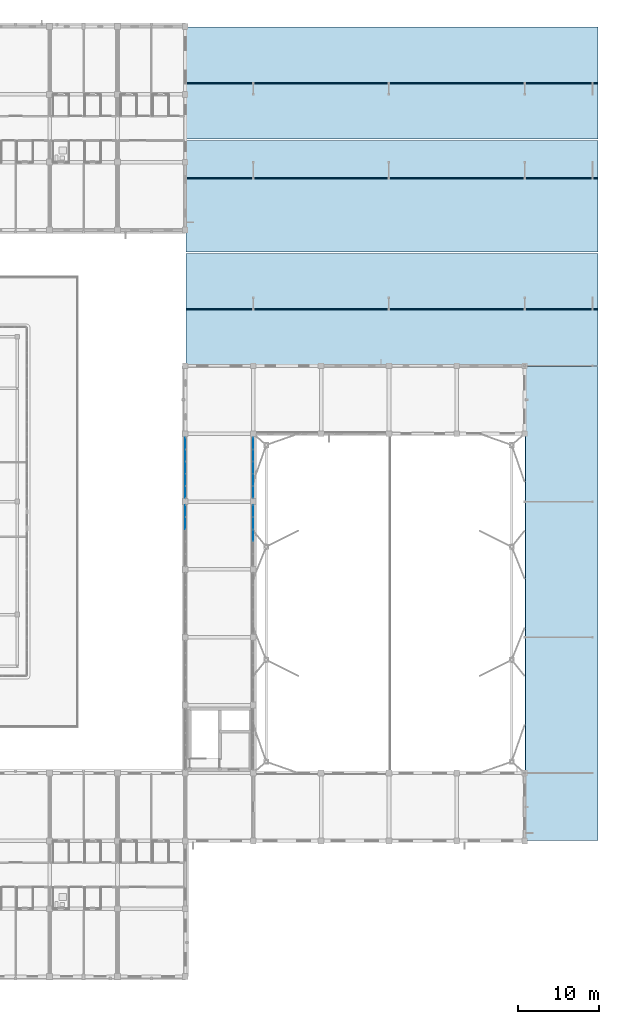
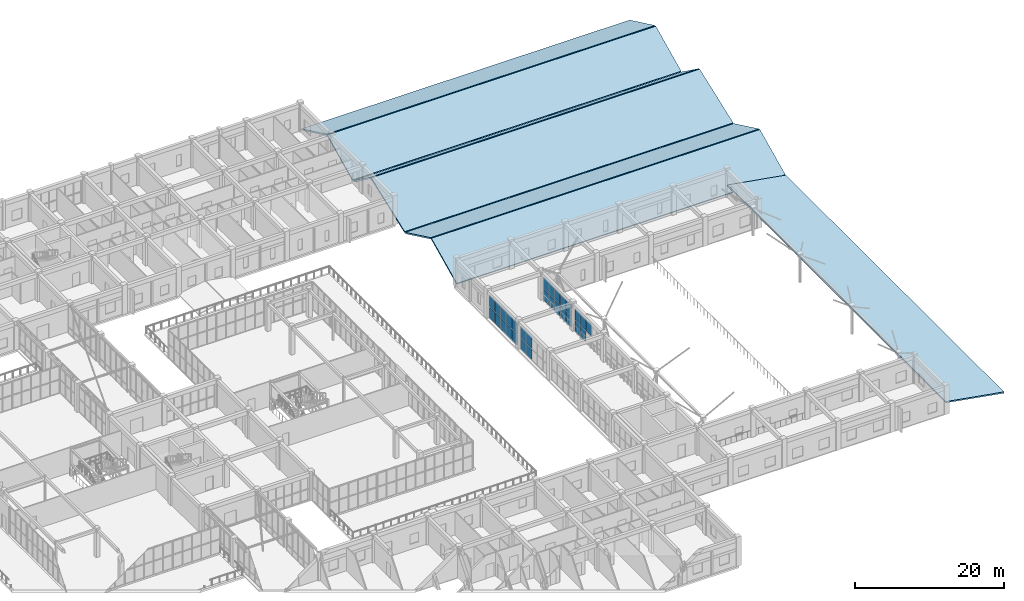
# One storey, part 112 of 158: 29 plates, 7 slabs, 4 elements without a shape of their own.
"""IFC4 building model written with IfcOpenShell, lengths in metres."""

from ifc_helpers import new_model, si_unit, direction, frame, origin, origin_2d, place, context, subcontext, project, spatial, polyline, rectangle, outline, extrude, material, layer, layer_set, type_object, element, aggregate, save


model = new_model("IFC4")

# Units and contexts
model_context = context("Model", 3, precision=1e-05, world=origin(), true_north=direction((0.0, 1.0)))
body_context = subcontext(model_context, "Body", "Model", "MODEL_VIEW")
ifc_project = project(units=[si_unit("LENGTHUNIT", "METRE"), si_unit("AREAUNIT", "SQUARE_METRE"), si_unit("VOLUMEUNIT", "CUBIC_METRE"), si_unit("PLANEANGLEUNIT", "RADIAN"), si_unit("MASSUNIT", "GRAM", prefix="KILO")], contexts=[model_context])

# Site, building, storey
site_placement = place(None, origin())
site = spatial("IfcSite", under=ifc_project, at=site_placement, CompositionType="ELEMENT")
building_placement = place(site_placement, origin())
building = spatial("IfcBuilding", under=site, at=building_placement, Name="Trelvath General Hospital", CompositionType="ELEMENT")
storey_placement = place(building_placement, frame((0.0, 0.0, 8.10009765625)))
storey = spatial("IfcBuildingStorey", under=building, at=storey_placement, Name="L02", CompositionType="ELEMENT", Elevation=8.10009765625)

# Curtain wall, plates
ifc_material_1 = material(Name="Anodised aluminium and low-E glass", Category="aluminium")
ifc_layer_1 = layer(ifc_material_1, 0.179931640625)
ifc_layer_set_1 = layer_set([ifc_layer_1], Name="Anodised aluminium and low-E glass")
curtain_wall_type = type_object("IfcCurtainWallType", Name="CW Facade 757 386 18", PredefinedType="USERDEFINED", material=ifc_layer_set_1)
curtain_wall_1_placement = place(storey_placement, origin())
curtain_wall_1 = element("IfcCurtainWall", 1, at=curtain_wall_1_placement, inside=storey, type_object=curtain_wall_type, Name="Facade Curtain Wall CW-052", ObjectType="Unitised Glazed Curtain Wall", PredefinedType="USERDEFINED")
ifc_material_2 = material(Name="Low-E laminated glass", Category="glass")
ifc_layer_2 = layer(ifc_material_2, 0.035888671875)
ifc_layer_set_2 = layer_set([ifc_layer_2], Name="Low-E laminated glass")
plate_type = type_object("IfcPlateType", Name="CurtainPanel Glass36", PredefinedType="CURTAIN_PANEL", material=ifc_layer_set_2)
plate_1_placement = place(storey_placement, frame((134.39990234375, 56.114013671875, 0.06494140625), z_axis=(0.0, 0.0, 1.0), x_axis=(0.0, 1.0, 0.0)))
plate_1 = element("IfcPlate", 2, at=plate_1_placement, type_object=plate_type, Name="CW-052 panel 4.1", PredefinedType="CURTAIN_PANEL", context=body_context, shape_type="SweptSolid", body=[
    extrude(rectangle(XDim=1.448974609375, YDim=0.035888671875, at=origin_2d()), origin(), (0.0, 0.0, 1.0), 1.755615234375),
])
plate_2_placement = place(storey_placement, frame((134.39990234375, 56.114013671875, 1.88525390625), z_axis=(0.0, 0.0, 1.0), x_axis=(0.0, 1.0, 0.0)))
plate_2 = element("IfcPlate", 3, at=plate_2_placement, type_object=plate_type, Name="CW-052 panel 4.2", PredefinedType="CURTAIN_PANEL", context=body_context, shape_type="SweptSolid", body=[
    extrude(rectangle(XDim=1.448974609375, YDim=0.035888671875, at=origin_2d()), origin(), (0.0, 0.0, 1.0), 1.909423828125),
])
plate_3_placement = place(storey_placement, frame((134.39990234375, 57.61181640625, 0.06494140625), z_axis=(0.0, 0.0, 1.0), x_axis=(0.0, 1.0, 0.0)))
plate_3 = element("IfcPlate", 4, at=plate_3_placement, type_object=plate_type, Name="CW-052 panel 5.1", PredefinedType="CURTAIN_PANEL", context=body_context, shape_type="SweptSolid", body=[
    extrude(rectangle(XDim=1.41650390625, YDim=0.035888671875, at=origin_2d()), origin(), (0.0, 0.0, 1.0), 1.755615234375),
])
plate_4_placement = place(storey_placement, frame((134.39990234375, 57.61181640625, 1.88525390625), z_axis=(0.0, 0.0, 1.0), x_axis=(0.0, 1.0, 0.0)))
plate_4 = element("IfcPlate", 5, at=plate_4_placement, type_object=plate_type, Name="CW-052 panel 5.2", PredefinedType="CURTAIN_PANEL", context=body_context, shape_type="SweptSolid", body=[
    extrude(rectangle(XDim=1.41650390625, YDim=0.035888671875, at=origin_2d()), origin(), (0.0, 0.0, 1.0), 1.909423828125),
])
aggregate(curtain_wall_1, [plate_1, plate_2, plate_3, plate_4])

curtain_wall_2_placement = place(storey_placement, origin())
curtain_wall_2 = element("IfcCurtainWall", 6, at=curtain_wall_2_placement, inside=storey, type_object=curtain_wall_type, Name="Facade Curtain Wall CW-053", ObjectType="Unitised Glazed Curtain Wall", PredefinedType="USERDEFINED")
plate_5_placement = place(storey_placement, frame((142.800048828125, 57.61181640625, 0.06494140625), z_axis=(0.0, 0.0, 1.0), x_axis=(0.0, -1.0, 0.0)))
plate_5 = element("IfcPlate", 7, at=plate_5_placement, type_object=plate_type, Name="CW-053 panel 1.1", PredefinedType="CURTAIN_PANEL", context=body_context, shape_type="SweptSolid", body=[
    extrude(rectangle(XDim=1.41650390625, YDim=0.035888671875, at=origin_2d()), origin(), (0.0, 0.0, 1.0), 1.755615234375),
])
plate_6_placement = place(storey_placement, frame((142.800048828125, 57.61181640625, 1.88525390625), z_axis=(0.0, 0.0, 1.0), x_axis=(0.0, -1.0, 0.0)))
plate_6 = element("IfcPlate", 8, at=plate_6_placement, type_object=plate_type, Name="CW-053 panel 1.2", PredefinedType="CURTAIN_PANEL", context=body_context, shape_type="SweptSolid", body=[
    extrude(rectangle(XDim=1.41650390625, YDim=0.035888671875, at=origin_2d()), origin(), (0.0, 0.0, 1.0), 1.909423828125),
])
plate_7_placement = place(storey_placement, frame((142.800048828125, 56.114013671875, 0.06494140625), z_axis=(0.0, 0.0, 1.0), x_axis=(0.0, -1.0, 0.0)))
plate_7 = element("IfcPlate", 9, at=plate_7_placement, type_object=plate_type, Name="CW-053 panel 2.1", PredefinedType="CURTAIN_PANEL", context=body_context, shape_type="SweptSolid", body=[
    extrude(rectangle(XDim=1.448974609375, YDim=0.035888671875, at=origin_2d()), origin(), (0.0, 0.0, 1.0), 1.755615234375),
])
plate_8_placement = place(storey_placement, frame((142.800048828125, 56.114013671875, 1.88525390625), z_axis=(0.0, 0.0, 1.0), x_axis=(0.0, -1.0, 0.0)))
plate_8 = element("IfcPlate", 10, at=plate_8_placement, type_object=plate_type, Name="CW-053 panel 2.2", PredefinedType="CURTAIN_PANEL", context=body_context, shape_type="SweptSolid", body=[
    extrude(rectangle(XDim=1.448974609375, YDim=0.035888671875, at=origin_2d()), origin(), (0.0, 0.0, 1.0), 1.909423828125),
])
plate_9_placement = place(storey_placement, frame((142.800048828125, 54.60009765625, 1.88525390625), z_axis=(0.0, 0.0, 1.0), x_axis=(0.0, -1.0, 0.0)))
plate_9 = element("IfcPlate", 11, at=plate_9_placement, type_object=plate_type, Name="CW-053 panel 3.2", PredefinedType="CURTAIN_PANEL", context=body_context, shape_type="SweptSolid", body=[
    extrude(rectangle(XDim=1.448974609375, YDim=0.035888671875, at=origin_2d()), origin(), (0.0, 0.0, 1.0), 1.909423828125),
])
aggregate(curtain_wall_2, [plate_5, plate_6, plate_7, plate_8, plate_9])

curtain_wall_3_placement = place(storey_placement, origin())
curtain_wall_3 = element("IfcCurtainWall", 12, at=curtain_wall_3_placement, inside=storey, type_object=curtain_wall_type, Name="Facade Curtain Wall CW-054", ObjectType="Unitised Glazed Curtain Wall", PredefinedType="USERDEFINED")
plate_10_placement = place(storey_placement, frame((134.39990234375, 59.98828125, 0.06494140625), z_axis=(0.0, 0.0, 1.0), x_axis=(0.0, 1.0, 0.0)))
plate_10 = element("IfcPlate", 13, at=plate_10_placement, type_object=plate_type, Name="CW-054 panel 1.1", PredefinedType="CURTAIN_PANEL", context=body_context, shape_type="SweptSolid", body=[
    extrude(rectangle(XDim=1.41650390625, YDim=0.035888671875, at=origin_2d()), origin(), (0.0, 0.0, 1.0), 1.755615234375),
])
plate_11_placement = place(storey_placement, frame((134.39990234375, 59.98828125, 1.88525390625), z_axis=(0.0, 0.0, 1.0), x_axis=(0.0, 1.0, 0.0)))
plate_11 = element("IfcPlate", 14, at=plate_11_placement, type_object=plate_type, Name="CW-054 panel 1.2", PredefinedType="CURTAIN_PANEL", context=body_context, shape_type="SweptSolid", body=[
    extrude(rectangle(XDim=1.41650390625, YDim=0.035888671875, at=origin_2d()), origin(), (0.0, 0.0, 1.0), 1.909423828125),
])
plate_12_placement = place(storey_placement, frame((134.39990234375, 61.486083984375, 0.06494140625), z_axis=(0.0, 0.0, 1.0), x_axis=(0.0, 1.0, 0.0)))
plate_12 = element("IfcPlate", 15, at=plate_12_placement, type_object=plate_type, Name="CW-054 panel 2.1", PredefinedType="CURTAIN_PANEL", context=body_context, shape_type="SweptSolid", body=[
    extrude(rectangle(XDim=1.448974609375, YDim=0.035888671875, at=origin_2d()), origin(), (0.0, 0.0, 1.0), 1.755615234375),
])
plate_13_placement = place(storey_placement, frame((134.39990234375, 61.486083984375, 1.88525390625), z_axis=(0.0, 0.0, 1.0), x_axis=(0.0, 1.0, 0.0)))
plate_13 = element("IfcPlate", 16, at=plate_13_placement, type_object=plate_type, Name="CW-054 panel 2.2", PredefinedType="CURTAIN_PANEL", context=body_context, shape_type="SweptSolid", body=[
    extrude(rectangle(XDim=1.448974609375, YDim=0.035888671875, at=origin_2d()), origin(), (0.0, 0.0, 1.0), 1.909423828125),
])
plate_14_placement = place(storey_placement, frame((134.39990234375, 63.0, 0.06494140625), z_axis=(0.0, 0.0, 1.0), x_axis=(0.0, 1.0, 0.0)))
plate_14 = element("IfcPlate", 17, at=plate_14_placement, type_object=plate_type, Name="CW-054 panel 3.1", PredefinedType="CURTAIN_PANEL", context=body_context, shape_type="SweptSolid", body=[
    extrude(rectangle(XDim=1.448974609375, YDim=0.035888671875, at=origin_2d()), origin(), (0.0, 0.0, 1.0), 1.755615234375),
])
plate_15_placement = place(storey_placement, frame((134.39990234375, 63.0, 1.88525390625), z_axis=(0.0, 0.0, 1.0), x_axis=(0.0, 1.0, 0.0)))
plate_15 = element("IfcPlate", 18, at=plate_15_placement, type_object=plate_type, Name="CW-054 panel 3.2", PredefinedType="CURTAIN_PANEL", context=body_context, shape_type="SweptSolid", body=[
    extrude(rectangle(XDim=1.448974609375, YDim=0.035888671875, at=origin_2d()), origin(), (0.0, 0.0, 1.0), 1.909423828125),
])
plate_16_placement = place(storey_placement, frame((134.39990234375, 64.513916015625, 0.06494140625), z_axis=(0.0, 0.0, 1.0), x_axis=(0.0, 1.0, 0.0)))
plate_16 = element("IfcPlate", 19, at=plate_16_placement, type_object=plate_type, Name="CW-054 panel 4.1", PredefinedType="CURTAIN_PANEL", context=body_context, shape_type="SweptSolid", body=[
    extrude(rectangle(XDim=1.448974609375, YDim=0.035888671875, at=origin_2d()), origin(), (0.0, 0.0, 1.0), 1.755615234375),
])
plate_17_placement = place(storey_placement, frame((134.39990234375, 64.513916015625, 1.88525390625), z_axis=(0.0, 0.0, 1.0), x_axis=(0.0, 1.0, 0.0)))
plate_17 = element("IfcPlate", 20, at=plate_17_placement, type_object=plate_type, Name="CW-054 panel 4.2", PredefinedType="CURTAIN_PANEL", context=body_context, shape_type="SweptSolid", body=[
    extrude(rectangle(XDim=1.448974609375, YDim=0.035888671875, at=origin_2d()), origin(), (0.0, 0.0, 1.0), 1.909423828125),
])
plate_18_placement = place(storey_placement, frame((134.39990234375, 66.01171875, 0.06494140625), z_axis=(0.0, 0.0, 1.0), x_axis=(0.0, 1.0, 0.0)))
plate_18 = element("IfcPlate", 21, at=plate_18_placement, type_object=plate_type, Name="CW-054 panel 5.1", PredefinedType="CURTAIN_PANEL", context=body_context, shape_type="SweptSolid", body=[
    extrude(rectangle(XDim=1.41650390625, YDim=0.035888671875, at=origin_2d()), origin(), (0.0, 0.0, 1.0), 1.755615234375),
])
plate_19_placement = place(storey_placement, frame((134.39990234375, 66.01171875, 1.88525390625), z_axis=(0.0, 0.0, 1.0), x_axis=(0.0, 1.0, 0.0)))
plate_19 = element("IfcPlate", 22, at=plate_19_placement, type_object=plate_type, Name="CW-054 panel 5.2", PredefinedType="CURTAIN_PANEL", context=body_context, shape_type="SweptSolid", body=[
    extrude(rectangle(XDim=1.41650390625, YDim=0.035888671875, at=origin_2d()), origin(), (0.0, 0.0, 1.0), 1.909423828125),
])
aggregate(curtain_wall_3, [plate_10, plate_11, plate_12, plate_13, plate_14, plate_15, plate_16, plate_17, plate_18, plate_19])

curtain_wall_4_placement = place(storey_placement, origin())
curtain_wall_4 = element("IfcCurtainWall", 23, at=curtain_wall_4_placement, inside=storey, type_object=curtain_wall_type, Name="Facade Curtain Wall CW-055", ObjectType="Unitised Glazed Curtain Wall", PredefinedType="USERDEFINED")
plate_20_placement = place(storey_placement, frame((142.800048828125, 66.01171875, 0.06494140625), z_axis=(0.0, 0.0, 1.0), x_axis=(0.0, -1.0, 0.0)))
plate_20 = element("IfcPlate", 24, at=plate_20_placement, type_object=plate_type, Name="CW-055 panel 1.1", PredefinedType="CURTAIN_PANEL", context=body_context, shape_type="SweptSolid", body=[
    extrude(rectangle(XDim=1.41650390625, YDim=0.035888671875, at=origin_2d()), origin(), (0.0, 0.0, 1.0), 1.755615234375),
])
plate_21_placement = place(storey_placement, frame((142.800048828125, 66.01171875, 1.88525390625), z_axis=(0.0, 0.0, 1.0), x_axis=(0.0, -1.0, 0.0)))
plate_21 = element("IfcPlate", 25, at=plate_21_placement, type_object=plate_type, Name="CW-055 panel 1.2", PredefinedType="CURTAIN_PANEL", context=body_context, shape_type="SweptSolid", body=[
    extrude(rectangle(XDim=1.41650390625, YDim=0.035888671875, at=origin_2d()), origin(), (0.0, 0.0, 1.0), 1.909423828125),
])
plate_22_placement = place(storey_placement, frame((142.800048828125, 64.513916015625, 0.06494140625), z_axis=(0.0, 0.0, 1.0), x_axis=(0.0, -1.0, 0.0)))
plate_22 = element("IfcPlate", 26, at=plate_22_placement, type_object=plate_type, Name="CW-055 panel 2.1", PredefinedType="CURTAIN_PANEL", context=body_context, shape_type="SweptSolid", body=[
    extrude(rectangle(XDim=1.448974609375, YDim=0.035888671875, at=origin_2d()), origin(), (0.0, 0.0, 1.0), 1.755615234375),
])
plate_23_placement = place(storey_placement, frame((142.800048828125, 64.513916015625, 1.88525390625), z_axis=(0.0, 0.0, 1.0), x_axis=(0.0, -1.0, 0.0)))
plate_23 = element("IfcPlate", 27, at=plate_23_placement, type_object=plate_type, Name="CW-055 panel 2.2", PredefinedType="CURTAIN_PANEL", context=body_context, shape_type="SweptSolid", body=[
    extrude(rectangle(XDim=1.448974609375, YDim=0.035888671875, at=origin_2d()), origin(), (0.0, 0.0, 1.0), 1.909423828125),
])
plate_24_placement = place(storey_placement, frame((142.800048828125, 63.0, 0.06494140625), z_axis=(0.0, 0.0, 1.0), x_axis=(0.0, -1.0, 0.0)))
plate_24 = element("IfcPlate", 28, at=plate_24_placement, type_object=plate_type, Name="CW-055 panel 3.1", PredefinedType="CURTAIN_PANEL", context=body_context, shape_type="SweptSolid", body=[
    extrude(rectangle(XDim=1.448974609375, YDim=0.035888671875, at=origin_2d()), origin(), (0.0, 0.0, 1.0), 1.755615234375),
])
plate_25_placement = place(storey_placement, frame((142.800048828125, 63.0, 1.88525390625), z_axis=(0.0, 0.0, 1.0), x_axis=(0.0, -1.0, 0.0)))
plate_25 = element("IfcPlate", 29, at=plate_25_placement, type_object=plate_type, Name="CW-055 panel 3.2", PredefinedType="CURTAIN_PANEL", context=body_context, shape_type="SweptSolid", body=[
    extrude(rectangle(XDim=1.448974609375, YDim=0.035888671875, at=origin_2d()), origin(), (0.0, 0.0, 1.0), 1.909423828125),
])
plate_26_placement = place(storey_placement, frame((142.800048828125, 61.486083984375, 0.06494140625), z_axis=(0.0, 0.0, 1.0), x_axis=(0.0, -1.0, 0.0)))
plate_26 = element("IfcPlate", 30, at=plate_26_placement, type_object=plate_type, Name="CW-055 panel 4.1", PredefinedType="CURTAIN_PANEL", context=body_context, shape_type="SweptSolid", body=[
    extrude(rectangle(XDim=1.448974609375, YDim=0.035888671875, at=origin_2d()), origin(), (0.0, 0.0, 1.0), 1.755615234375),
])
plate_27_placement = place(storey_placement, frame((142.800048828125, 61.486083984375, 1.88525390625), z_axis=(0.0, 0.0, 1.0), x_axis=(0.0, -1.0, 0.0)))
plate_27 = element("IfcPlate", 31, at=plate_27_placement, type_object=plate_type, Name="CW-055 panel 4.2", PredefinedType="CURTAIN_PANEL", context=body_context, shape_type="SweptSolid", body=[
    extrude(rectangle(XDim=1.448974609375, YDim=0.035888671875, at=origin_2d()), origin(), (0.0, 0.0, 1.0), 1.909423828125),
])
plate_28_placement = place(storey_placement, frame((142.800048828125, 59.98828125, 0.06494140625), z_axis=(0.0, 0.0, 1.0), x_axis=(0.0, -1.0, 0.0)))
plate_28 = element("IfcPlate", 32, at=plate_28_placement, type_object=plate_type, Name="CW-055 panel 5.1", PredefinedType="CURTAIN_PANEL", context=body_context, shape_type="SweptSolid", body=[
    extrude(rectangle(XDim=1.41650390625, YDim=0.035888671875, at=origin_2d()), origin(), (0.0, 0.0, 1.0), 1.755615234375),
])
plate_29_placement = place(storey_placement, frame((142.800048828125, 59.98828125, 1.88525390625), z_axis=(0.0, 0.0, 1.0), x_axis=(0.0, -1.0, 0.0)))
plate_29 = element("IfcPlate", 33, at=plate_29_placement, type_object=plate_type, Name="CW-055 panel 5.2", PredefinedType="CURTAIN_PANEL", context=body_context, shape_type="SweptSolid", body=[
    extrude(rectangle(XDim=1.41650390625, YDim=0.035888671875, at=origin_2d()), origin(), (0.0, 0.0, 1.0), 1.909423828125),
])
aggregate(curtain_wall_4, [plate_20, plate_21, plate_22, plate_23, plate_24, plate_25, plate_26, plate_27, plate_28, plate_29])

# Slabs
ifc_material_3 = material(Name="Concrete C35/45", Category="concrete")
ifc_layer_3 = layer(ifc_material_3, 0.219970703125)
ifc_layer_set_3 = layer_set([ifc_layer_3], Name="Concrete C35/45")
slab_type = type_object("IfcSlabType", Name="RoofSlab Folded220", PredefinedType="ROOF", material=ifc_layer_set_3)
slab_1_placement = place(storey_placement, frame((134.47998046875, 75.659912109375, 0.239990234375), z_axis=(0.0, -0.429724951662, 0.902959836271), x_axis=(1.0, 0.0, 0.0)))
element("IfcSlab", 34, at=slab_1_placement, inside=storey, type_object=slab_type, Name="Emergency Wing Folded Concrete Shell F1S", PredefinedType="ROOF", context=body_context, shape_type="SweptSolid", body=[
    extrude(outline(polyline([(0.0, 0.0), (51.02001953125, 0.0), (51.02001953125, 7.586270597080763), (0.0, 7.586270597080763), (0.0, 0.0)])), origin(), (0.0, 0.0, -1.0), 0.219970703125),
])
slab_2_placement = place(storey_placement, frame((134.47998046875, 82.68994140625, 3.5), z_axis=(0.0, 0.431265778423, 0.902224932243), x_axis=(1.0, 0.0, 0.0)))
element("IfcSlab", 35, at=slab_2_placement, inside=storey, type_object=slab_type, Name="Emergency Wing Folded Concrete Shell F1N", PredefinedType="ROOF", context=body_context, shape_type="SweptSolid", body=[
    extrude(outline(polyline([(0.0, 0.0), (51.02001953125, 0.0), (51.02001953125, 7.559166362669787), (0.0, 7.559166362669787), (0.0, 0.0)])), origin(), (0.0, 0.0, -1.0), 0.219970703125),
])
slab_3_placement = place(storey_placement, frame((134.47998046875, 89.68994140625, 0.239990234375), z_axis=(0.0, -0.349060109978, 0.937100335942), x_axis=(1.0, 0.0, 0.0)))
element("IfcSlab", 36, at=slab_3_placement, inside=storey, type_object=slab_type, Name="Emergency Wing Folded Concrete Shell F2S", PredefinedType="ROOF", context=body_context, shape_type="SweptSolid", body=[
    extrude(outline(polyline([(0.0, 0.0), (51.02001953125, 0.0), (51.02001953125, 9.625457579399718), (0.0, 9.625457579399718), (0.0, 0.0)])), origin(), (0.0, 0.0, -1.0), 0.219970703125),
])
slab_4_placement = place(storey_placement, frame((134.47998046875, 98.889892578125, 3.599853515625), z_axis=(0.0, 0.588146286209, 0.808754564759), x_axis=(1.0, 0.0, 0.0)))
element("IfcSlab", 37, at=slab_4_placement, inside=storey, type_object=slab_type, Name="Emergency Wing Folded Concrete Shell F2N", PredefinedType="ROOF", context=body_context, shape_type="SweptSolid", body=[
    extrude(outline(polyline([(0.0, 0.0), (51.02001953125, 0.0), (51.02001953125, 5.712631976149429), (0.0, 5.712631976149429), (0.0, 0.0)])), origin(), (0.0, 0.0, -1.0), 0.219970703125),
])
slab_5_placement = place(storey_placement, frame((134.47998046875, 103.68994140625, 0.239990234375), z_axis=(0.0, -0.431265778423, 0.902224932243), x_axis=(1.0, 0.0, 0.0)))
element("IfcSlab", 38, at=slab_5_placement, inside=storey, type_object=slab_type, Name="Emergency Wing Folded Concrete Shell F3S", PredefinedType="ROOF", context=body_context, shape_type="SweptSolid", body=[
    extrude(outline(polyline([(0.0, 0.0), (51.02001953125, 0.0), (51.02001953125, 7.559166362669787), (0.0, 7.559166362669787), (0.0, 0.0)])), origin(), (0.0, 0.0, -1.0), 0.219970703125),
])
slab_6_placement = place(storey_placement, frame((134.47998046875, 110.68994140625, 3.5), z_axis=(0.0, 0.429724951662, 0.902959836271), x_axis=(1.0, 0.0, 0.0)))
element("IfcSlab", 39, at=slab_6_placement, inside=storey, type_object=slab_type, Name="Emergency Wing Folded Concrete Shell F3N", PredefinedType="ROOF", context=body_context, shape_type="SweptSolid", body=[
    extrude(outline(polyline([(0.0, 0.0), (51.02001953125, 0.0), (51.02001953125, 7.586270597080763), (0.0, 7.586270597080763), (0.0, 0.0)])), origin(), (0.0, 0.0, -1.0), 0.219970703125),
])
slab_7_placement = place(storey_placement, frame((176.47998046875, 16.860107421875, 1.7998046875), z_axis=(0.170399009506, 0.0, 0.985375145596), x_axis=(0.985375145596, 0.0, -0.170399009506)))
element("IfcSlab", 40, at=slab_7_placement, inside=storey, type_object=slab_type, Name="East Arrival Colonnade Sloped Concrete Roof", PredefinedType="ROOF", context=body_context, shape_type="SweptSolid", body=[
    extrude(outline(polyline([(0.0, 0.0), (9.153893896714617, 0.0), (9.153893896714617, 58.67993164062499), (0.0, 58.67993164062499), (0.0, 0.0)])), origin(), (0.0, 0.0, -1.0), 0.219970703125),
])

save(model, "model.ifc")
